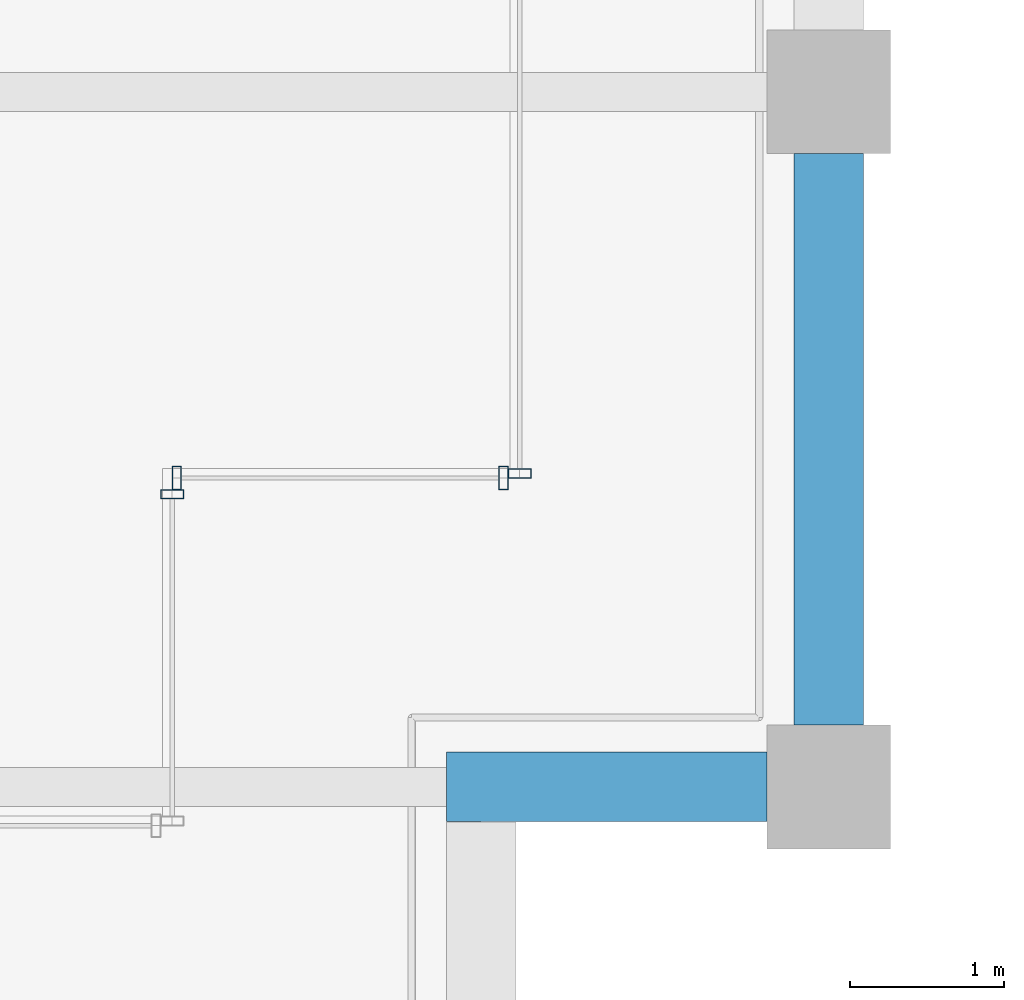
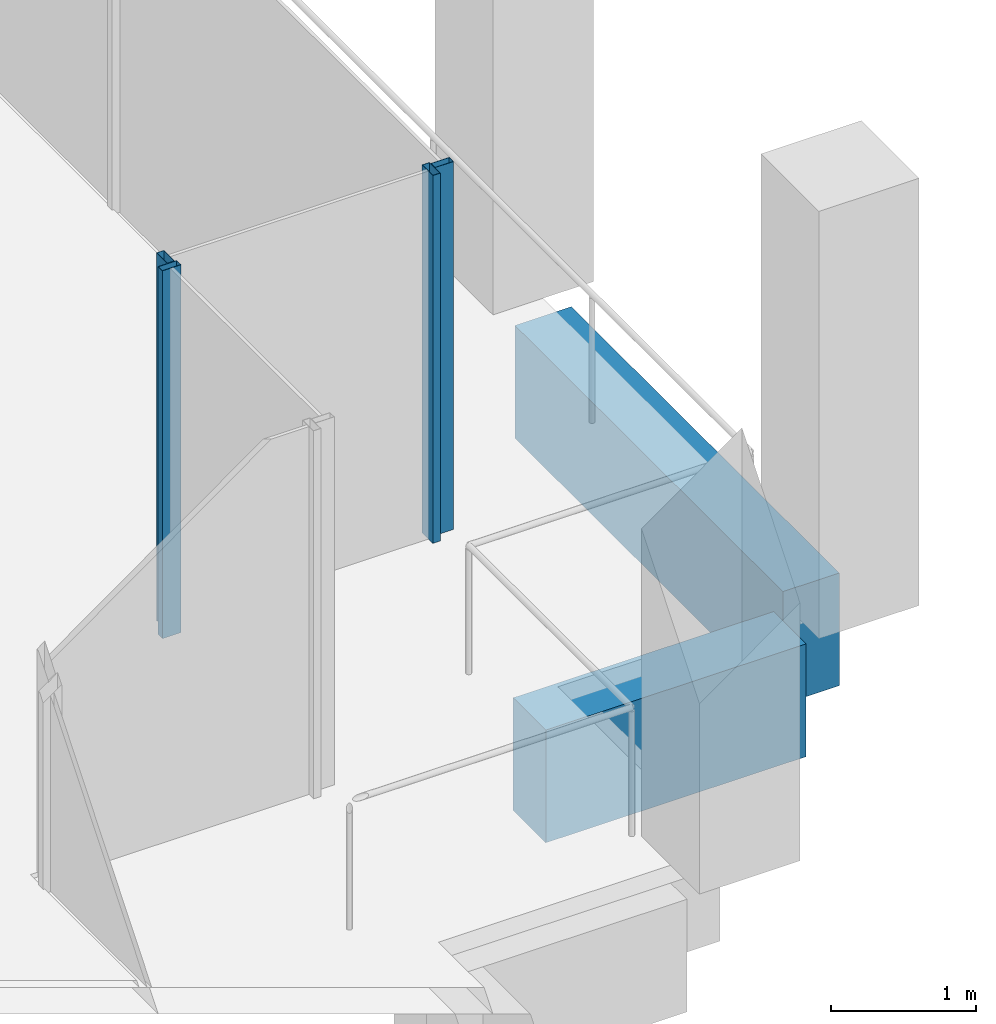
# One storey, part 13 of 40: 4 members, 2 beams, 3 elements without a shape of their own.
"""IFC4 building model written with IfcOpenShell, lengths in metres."""

from ifc_helpers import new_model, si_unit, direction, frame, origin, origin_2d, place, context, subcontext, project, spatial, rectangle, hollow_rectangle, extrude, material, material_profile, profile_set, type_object, element, aggregate, save


model = new_model("IFC4")

# Units and contexts
model_context = context("Model", 3, precision=1e-05, world=origin(), true_north=direction((0.0, 1.0)))
body_context = subcontext(model_context, "Body", "Model", "MODEL_VIEW")
ifc_project = project(units=[si_unit("LENGTHUNIT", "METRE"), si_unit("AREAUNIT", "SQUARE_METRE"), si_unit("VOLUMEUNIT", "CUBIC_METRE"), si_unit("PLANEANGLEUNIT", "RADIAN"), si_unit("MASSUNIT", "GRAM", prefix="KILO")], contexts=[model_context])

# Site, building, storey
site_placement = place(None, origin())
site = spatial("IfcSite", under=ifc_project, at=site_placement, CompositionType="ELEMENT")
building_placement = place(site_placement, origin())
building = spatial("IfcBuilding", under=site, at=building_placement, Name="Altepetl Exchange Towers", CompositionType="ELEMENT")
storey_placement = place(building_placement, frame((0.0, 0.0, 199.199951171875)))
storey = spatial("IfcBuildingStorey", under=building, at=storey_placement, Name="L50", CompositionType="ELEMENT", Elevation=199.199951171875)

# Curtain wall, member
ifc_material_1 = material(Name="Aluminium 6063-T6 glazing", Category="aluminium")
curtain_wall_type = type_object("IfcCurtainWallType", Name="Loggia glazing system", PredefinedType="NOTDEFINED", material=ifc_material_1)
curtain_wall_1_placement = place(storey_placement, origin())
curtain_wall_1 = element("IfcCurtainWall", 1, at=curtain_wall_1_placement, inside=storey, type_object=curtain_wall_type, Name="CW1 run", PredefinedType="NOTDEFINED")
ifc_material_2 = material(Name="Aluminium 6063-T6", Category="aluminium")
ifc_material_profile_1 = material_profile(ifc_material_2, hollow_rectangle(XDim=0.06005859375, YDim=0.14990234375, WallThickness=0.0029296875, at=origin_2d()), Name="Mullion 60x150 aluminium")
ifc_profile_set_1 = profile_set([ifc_material_profile_1], Name="Aluminium 6063-T6")
member_type = type_object("IfcMemberType", Name="Mullion 60x150 aluminium", PredefinedType="MULLION", material=ifc_profile_set_1)
member_1_placement = place(storey_placement, frame((67.75, 33.39501953125, 0.0), z_axis=(0.0, 0.0, 1.0), x_axis=(0.0, 1.0, 0.0)))
member_1 = element("IfcMember", 2, at=member_1_placement, type_object=member_type, Name="MU1 mullion", PredefinedType="MULLION", context=body_context, shape_type="SweptSolid", body=[
    extrude(hollow_rectangle(XDim=0.06005859375, YDim=0.14990234375, WallThickness=0.0029296875, at=origin_2d()), origin(), (0.0, 0.0, 1.0), 3.10009765625),
])
aggregate(curtain_wall_1, [member_1])

# Curtain wall, members
curtain_wall_2_placement = place(storey_placement, origin())
curtain_wall_2 = element("IfcCurtainWall", 3, at=curtain_wall_2_placement, inside=storey, type_object=curtain_wall_type, Name="CW1 run", PredefinedType="NOTDEFINED")
member_2_placement = place(storey_placement, frame((67.780029296875, 33.5, 0.0)))
member_2 = element("IfcMember", 4, at=member_2_placement, type_object=member_type, Name="MU1 mullion", PredefinedType="MULLION", context=body_context, shape_type="SweptSolid", body=[
    extrude(hollow_rectangle(XDim=0.06005859375, YDim=0.14990234375, WallThickness=0.0029296875, at=origin_2d()), origin(), (0.0, 0.0, 1.0), 3.10009765625),
])
member_3_placement = place(storey_placement, frame((69.89501953125, 33.5, 0.0)))
member_3 = element("IfcMember", 5, at=member_3_placement, type_object=member_type, Name="MU1 mullion", PredefinedType="MULLION", context=body_context, shape_type="SweptSolid", body=[
    extrude(hollow_rectangle(XDim=0.06005859375, YDim=0.14990234375, WallThickness=0.0029296875, at=origin_2d()), origin(), (0.0, 0.0, 1.0), 3.10009765625),
])
aggregate(curtain_wall_2, [member_2, member_3])

# Curtain wall, member
curtain_wall_3_placement = place(storey_placement, origin())
curtain_wall_3 = element("IfcCurtainWall", 6, at=curtain_wall_3_placement, inside=storey, type_object=curtain_wall_type, Name="CW1 run", PredefinedType="NOTDEFINED")
member_4_placement = place(storey_placement, frame((70.0, 33.530029296875, 0.0), z_axis=(0.0, 0.0, 1.0), x_axis=(0.0, 1.0, 0.0)))
member_4 = element("IfcMember", 7, at=member_4_placement, type_object=member_type, Name="MU1 mullion", PredefinedType="MULLION", context=body_context, shape_type="SweptSolid", body=[
    extrude(hollow_rectangle(XDim=0.06005859375, YDim=0.14990234375, WallThickness=0.0029296875, at=origin_2d()), origin(), (0.0, 0.0, 1.0), 3.10009765625),
])
aggregate(curtain_wall_3, [member_4])

# Beams
ifc_material_3 = material(Name="Concrete C50/60 precast with cantera amarilla facing", Category="concrete")
ifc_material_profile_2 = material_profile(ifc_material_3, rectangle(XDim=0.449951171875, YDim=0.949951171875, at=origin_2d()), Name="450 x 950")
ifc_profile_set_2 = profile_set([ifc_material_profile_2], Name="Concrete C50/60 precast with cantera amarilla facing")
beam_type = type_object("IfcBeamType", Name="Spandrel beam 450x950 cantera amarilla", PredefinedType="SPANDREL", material=ifc_profile_set_2)
beam_1_placement = place(storey_placement, frame((69.52490234375, 31.5, -0.625), z_axis=(1.0, 0.0, 0.0), x_axis=(0.0, 1.0, 0.0)))
element("IfcBeam", 8, at=beam_1_placement, inside=storey, type_object=beam_type, Name="sp:A:L50:011", PredefinedType="SPANDREL", context=body_context, shape_type="SweptSolid", body=[
    extrude(rectangle(XDim=0.449951171875, YDim=0.949951171875, at=origin_2d()), origin(), (0.0, 0.0, 1.0), 2.0751953125),
])
beam_2_placement = place(storey_placement, frame((72.0, 31.89990234375, -0.625), z_axis=(0.0, 1.0, 0.0), x_axis=(-1.0, 0.0, 0.0)))
element("IfcBeam", 9, at=beam_2_placement, inside=storey, type_object=beam_type, Name="sp:A:L50:012", PredefinedType="SPANDREL", context=body_context, shape_type="SweptSolid", body=[
    extrude(rectangle(XDim=0.449951171875, YDim=0.949951171875, at=origin_2d()), origin(), (0.0, 0.0, 1.0), 3.7001953125),
])

save(model, "model.ifc")
